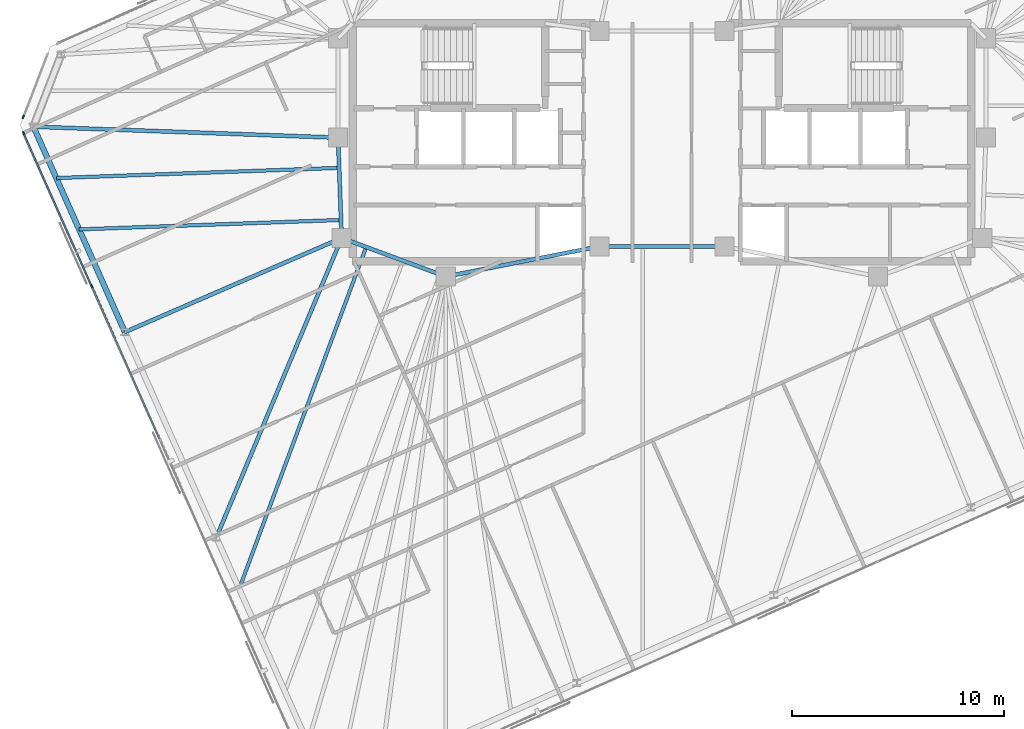
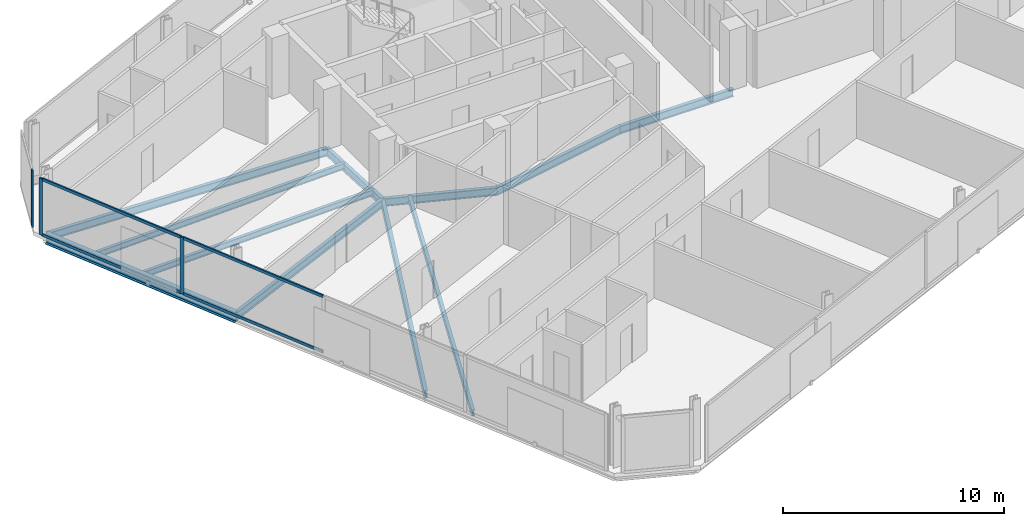
# One storey, part 6 of 19: 11 beams, 7 members, 2 elements without a shape of their own.
"""IFC4 building model written with IfcOpenShell, lengths in metres."""

from ifc_helpers import new_model, si_unit, direction, frame, origin, origin_2d, place, context, subcontext, project, spatial, rectangle, i_section, extrude, material, material_profile, profile_set, type_object, element, aggregate, save


model = new_model("IFC4")

# Units and contexts
model_context = context("Model", 3, precision=1e-05, world=origin(), true_north=direction((0.0, 1.0)))
body_context = subcontext(model_context, "Body", "Model", "MODEL_VIEW")
ifc_project = project(units=[si_unit("LENGTHUNIT", "METRE"), si_unit("AREAUNIT", "SQUARE_METRE"), si_unit("VOLUMEUNIT", "CUBIC_METRE"), si_unit("PLANEANGLEUNIT", "RADIAN"), si_unit("MASSUNIT", "GRAM", prefix="KILO")], contexts=[model_context])

# Site, building, storey
site_placement = place(None, origin())
site = spatial("IfcSite", under=ifc_project, at=site_placement, CompositionType="ELEMENT")
building_placement = place(site_placement, origin())
building = spatial("IfcBuilding", under=site, at=building_placement, Name="Menara Jurai Vektor", CompositionType="ELEMENT")
storey_placement = place(building_placement, frame((0.0, 0.0, 288.60009765625)))
storey = spatial("IfcBuildingStorey", under=building, at=storey_placement, Name="L77", CompositionType="ELEMENT", Elevation=288.60009765625)

# Curtain wall, member
ifc_material_1 = material(Name="Anodised Pale Aluminium & Low-E Double Glazing", Category="aluminium")
curtain_wall_type = type_object("IfcCurtainWallType", Name="CW-BLK5", PredefinedType="NOTDEFINED", material=ifc_material_1)
curtain_wall_1_placement = place(storey_placement, origin())
curtain_wall_1 = element("IfcCurtainWall", 1, at=curtain_wall_1_placement, inside=storey, type_object=curtain_wall_type, Name="Unitised Curtain Wall L77 F06", PredefinedType="NOTDEFINED")
ifc_material_2 = material(Name="Anodised Pale Aluminium Mullion", Category="aluminium")
ifc_material_profile_1 = material_profile(ifc_material_2, rectangle(XDim=0.074951171875, YDim=0.175048828125, at=origin_2d()), Name="ALU MUL 75x175")
ifc_profile_set_1 = profile_set([ifc_material_profile_1], Name="Anodised Pale Aluminium Mullion")
member_type_1 = type_object("IfcMemberType", Name="CW-BLK5-MUL", PredefinedType="MULLION", material=ifc_profile_set_1)
member_1_placement = place(storey_placement, frame((-30.075439453125, 1.197265625, 0.0), z_axis=(0.0, 0.0, 1.0), x_axis=(0.933578193639, -0.358373766287, 0.0)))
member_1 = element("IfcMember", 2, at=member_1_placement, type_object=member_type_1, Name="CW-05 mullion 2", PredefinedType="MULLION", context=body_context, shape_type="SweptSolid", body=[
    extrude(rectangle(XDim=0.074951171875, YDim=0.175048828125, at=origin_2d()), origin(), (0.0, 0.0, 1.0), 3.125),
])
aggregate(curtain_wall_1, [member_1])

# Curtain wall, members
curtain_wall_2_placement = place(storey_placement, origin())
curtain_wall_2 = element("IfcCurtainWall", 3, at=curtain_wall_2_placement, inside=storey, type_object=curtain_wall_type, Name="Unitised Curtain Wall L77 F07", PredefinedType="NOTDEFINED")
member_2_placement = place(storey_placement, frame((-30.055419921875, 0.426025390625, 0.0), z_axis=(0.0, 0.0, 1.0), x_axis=(0.913546127706, 0.406735138086, 0.0)))
member_2 = element("IfcMember", 4, at=member_2_placement, type_object=member_type_1, Name="CW-05 mullion 1", PredefinedType="MULLION", context=body_context, shape_type="SweptSolid", body=[
    extrude(rectangle(XDim=0.074951171875, YDim=0.175048828125, at=origin_2d()), origin(), (0.0, 0.0, 1.0), 3.125),
])
member_3_placement = place(storey_placement, frame((-26.853271484375, -6.765869140625, 0.0), z_axis=(0.0, 0.0, 1.0), x_axis=(0.913546127706, 0.406735138086, 0.0)))
member_3 = element("IfcMember", 5, at=member_3_placement, type_object=member_type_1, Name="CW-05 mullion 2", PredefinedType="MULLION", context=body_context, shape_type="SweptSolid", body=[
    extrude(rectangle(XDim=0.074951171875, YDim=0.175048828125, at=origin_2d()), origin(), (0.0, 0.0, 1.0), 3.125),
])
ifc_material_3 = material(Name="Anodised Pale Aluminium Transom", Category="aluminium")
ifc_material_profile_2 = material_profile(ifc_material_3, rectangle(XDim=0.074951171875, YDim=0.155029296875, at=origin_2d()), Name="ALU TRN 75x155")
ifc_profile_set_2 = profile_set([ifc_material_profile_2], Name="Anodised Pale Aluminium Transom")
member_type_2 = type_object("IfcMemberType", Name="CW-BLK5-TRN", PredefinedType="USERDEFINED", material=ifc_profile_set_2)
member_4_placement = place(storey_placement, frame((-30.0400390625, 0.391845703125, 0.037353515625), z_axis=(0.406713581109, -0.913555725143, 0.0), x_axis=(0.913555725143, 0.406713581109, 0.0)))
member_4 = element("IfcMember", 6, at=member_4_placement, type_object=member_type_2, Name="CW-05 transom 1.1", ObjectType="TRANSOM", PredefinedType="USERDEFINED", context=body_context, shape_type="SweptSolid", body=[
    extrude(rectangle(XDim=0.074951171875, YDim=0.155029296875, at=origin_2d()), origin(), (0.0, 0.0, 1.0), 7.797607421875),
])
member_5_placement = place(storey_placement, frame((-30.0400390625, 0.391845703125, 3.08740234375), z_axis=(0.406713581109, -0.913555725143, 0.0), x_axis=(0.913555725143, 0.406713581109, 0.0)))
member_5 = element("IfcMember", 7, at=member_5_placement, type_object=member_type_2, Name="CW-05 transom 1.2", ObjectType="TRANSOM", PredefinedType="USERDEFINED", context=body_context, shape_type="SweptSolid", body=[
    extrude(rectangle(XDim=0.074951171875, YDim=0.155029296875, at=origin_2d()), origin(), (0.0, 0.0, 1.0), 7.797607421875),
])
member_6_placement = place(storey_placement, frame((-26.838134765625, -6.800048828125, 0.037353515625), z_axis=(0.406731062496, -0.913547942256, 0.0), x_axis=(0.913547942256, 0.406731062496, 0.0)))
member_6 = element("IfcMember", 8, at=member_6_placement, type_object=member_type_2, Name="CW-05 transom 2.1", ObjectType="TRANSOM", PredefinedType="USERDEFINED", context=body_context, shape_type="SweptSolid", body=[
    extrude(rectangle(XDim=0.074951171875, YDim=0.155029296875, at=origin_2d()), origin(), (0.0, 0.0, 1.0), 7.8349609375),
])
member_7_placement = place(storey_placement, frame((-26.838134765625, -6.800048828125, 3.08740234375), z_axis=(0.406731062496, -0.913547942256, 0.0), x_axis=(0.913547942256, 0.406731062496, 0.0)))
member_7 = element("IfcMember", 9, at=member_7_placement, type_object=member_type_2, Name="CW-05 transom 2.2", ObjectType="TRANSOM", PredefinedType="USERDEFINED", context=body_context, shape_type="SweptSolid", body=[
    extrude(rectangle(XDim=0.074951171875, YDim=0.155029296875, at=origin_2d()), origin(), (0.0, 0.0, 1.0), 7.8349609375),
])
aggregate(curtain_wall_2, [member_2, member_3, member_4, member_5, member_6, member_7])

# Beams
ifc_material_4 = material(Name="Steel S355", Category="steel")
ifc_material_profile_3 = material_profile(ifc_material_4, i_section(OverallWidth=0.18505859375, OverallDepth=0.429931640625, WebThickness=0.010986328125, FlangeThickness=0.01806640625, at=origin_2d()), Name="PG 430x185x76")
ifc_profile_set_3 = profile_set([ifc_material_profile_3], Name="Steel S355")
beam_type_1 = type_object("IfcBeamType", Name="STR-BM-430", PredefinedType="BEAM", material=ifc_profile_set_3)
beam_1_placement = place(storey_placement, frame((-15.080078125, -4.5, -0.440185546875), z_axis=(-0.035977314146, 0.999352606874, 0.0), x_axis=(-0.999352606874, -0.035977314146, 0.0)))
element("IfcBeam", 10, at=beam_1_placement, inside=storey, type_object=beam_type_1, Name="Core Ring Header Girder L77-CHW-W2", PredefinedType="BEAM", context=body_context, shape_type="SweptSolid", body=[
    extrude(i_section(OverallWidth=0.18505859375, OverallDepth=0.429931640625, WebThickness=0.010986328125, FlangeThickness=0.01806640625, at=origin_2d()), origin(), (0.0, 0.0, 1.0), 4.72314453125),
])
beam_2_placement = place(storey_placement, frame((-15.080078125, -4.5, -0.440185546875), z_axis=(0.937424400887, -0.348188874925, 0.0), x_axis=(0.348188874925, 0.937424400887, 0.0)))
element("IfcBeam", 11, at=beam_2_placement, inside=storey, type_object=beam_type_1, Name="Core Ring Header Girder L77-CHW-S1", PredefinedType="BEAM", context=body_context, shape_type="SweptSolid", body=[
    extrude(i_section(OverallWidth=0.18505859375, OverallDepth=0.429931640625, WebThickness=0.010986328125, FlangeThickness=0.01806640625, at=origin_2d()), origin(), (0.0, 0.0, 1.0), 5.227294921875),
])
beam_3_placement = place(storey_placement, frame((-10.179931640625, -6.320068359375, -0.440185546875), z_axis=(0.981249044334, 0.192744164614, 0.0), x_axis=(-0.192744164614, 0.981249044334, 0.0)))
element("IfcBeam", 12, at=beam_3_placement, inside=storey, type_object=beam_type_1, Name="Core Ring Header Girder L77-CHW-S2", PredefinedType="BEAM", context=body_context, shape_type="SweptSolid", body=[
    extrude(i_section(OverallWidth=0.18505859375, OverallDepth=0.429931640625, WebThickness=0.010986328125, FlangeThickness=0.01806640625, at=origin_2d()), origin(), (0.0, 0.0, 1.0), 7.3681640625),
])
beam_4_placement = place(storey_placement, frame((-2.949951171875, -4.89990234375, -0.440185546875), z_axis=(1.0, 0.0, 0.0), x_axis=(0.0, 1.0, 0.0)))
element("IfcBeam", 13, at=beam_4_placement, inside=storey, type_object=beam_type_1, Name="Core Ring Header Girder L77-CC-1", PredefinedType="BEAM", context=body_context, shape_type="SweptSolid", body=[
    extrude(i_section(OverallWidth=0.18505859375, OverallDepth=0.429931640625, WebThickness=0.010986328125, FlangeThickness=0.01806640625, at=origin_2d()), origin(), (0.0, 0.0, 1.0), 5.89990234375),
])
beam_5_placement = place(storey_placement, frame((-29.591796875, 0.73681640625, -0.440185546875), z_axis=(0.999351273077, -0.03601434436, 0.0), x_axis=(0.03601434436, 0.999351273077, 0.0)))
element("IfcBeam", 14, at=beam_5_placement, inside=storey, type_object=beam_type_1, Name="Radial Floor Girder L77-W1", PredefinedType="BEAM", context=body_context, shape_type="SweptSolid", body=[
    extrude(i_section(OverallWidth=0.18505859375, OverallDepth=0.429931640625, WebThickness=0.010986328125, FlangeThickness=0.01806640625, at=origin_2d()), origin(), (0.0, 0.0, 1.0), 14.35107421875),
])
beam_6_placement = place(storey_placement, frame((-25.286376953125, -8.933349609375, -0.440185546875), z_axis=(0.917207084259, 0.398410798781, 0.0), x_axis=(-0.398410798781, 0.917207084259, 0.0)))
element("IfcBeam", 15, at=beam_6_placement, inside=storey, type_object=beam_type_1, Name="Radial Floor Girder L77-W2", PredefinedType="BEAM", context=body_context, shape_type="SweptSolid", body=[
    extrude(i_section(OverallWidth=0.18505859375, OverallDepth=0.429931640625, WebThickness=0.010986328125, FlangeThickness=0.01806640625, at=origin_2d()), origin(), (0.0, 0.0, 1.0), 11.127685546875),
])
beam_7_placement = place(storey_placement, frame((-20.98095703125, -18.603271484375, -0.440185546875), z_axis=(0.38598134247, 0.922506587112, 0.0), x_axis=(-0.922506587112, 0.38598134247, 0.0)))
element("IfcBeam", 16, at=beam_7_placement, inside=storey, type_object=beam_type_1, Name="Radial Floor Girder L77-W3", PredefinedType="BEAM", context=body_context, shape_type="SweptSolid", body=[
    extrude(i_section(OverallWidth=0.18505859375, OverallDepth=0.429931640625, WebThickness=0.010986328125, FlangeThickness=0.01806640625, at=origin_2d()), origin(), (0.0, 0.0, 1.0), 15.2880859375),
])
ifc_material_profile_4 = material_profile(ifc_material_4, i_section(OverallWidth=0.1650390625, OverallDepth=0.330078125, WebThickness=0.009033203125, FlangeThickness=0.013916015625, at=origin_2d()), Name="PG 330x165x46")
ifc_profile_set_4 = profile_set([ifc_material_profile_4], Name="Steel S355")
beam_type_2 = type_object("IfcBeamType", Name="STR-JS-330", PredefinedType="JOIST", material=ifc_profile_set_4)
beam_8_placement = place(storey_placement, frame((-28.515380859375, -1.6806640625, -0.39013671875), z_axis=(0.999352378837, 0.035983647851, 0.0), x_axis=(-0.035983647851, 0.999352378837, 0.0)))
element("IfcBeam", 17, at=beam_8_placement, inside=storey, type_object=beam_type_2, Name="Radial Secondary Floor Joist L77-JS26", PredefinedType="JOIST", context=body_context, shape_type="SweptSolid", body=[
    extrude(i_section(OverallWidth=0.1650390625, OverallDepth=0.330078125, WebThickness=0.009033203125, FlangeThickness=0.013916015625, at=origin_2d()), origin(), (0.0, 0.0, 1.0), 13.3251953125),
])
beam_9_placement = place(storey_placement, frame((-27.43896484375, -4.09814453125, -0.39013671875), z_axis=(0.999352552329, 0.03597882924, 0.0), x_axis=(-0.03597882924, 0.999352552329, 0.0)))
element("IfcBeam", 18, at=beam_9_placement, inside=storey, type_object=beam_type_2, Name="Radial Secondary Floor Joist L77-JS27", PredefinedType="JOIST", context=body_context, shape_type="SweptSolid", body=[
    extrude(i_section(OverallWidth=0.1650390625, OverallDepth=0.330078125, WebThickness=0.009033203125, FlangeThickness=0.013916015625, at=origin_2d()), origin(), (0.0, 0.0, 1.0), 12.33642578125),
])
beam_10_placement = place(storey_placement, frame((-19.904541015625, -21.020751953125, -0.39013671875), z_axis=(0.348190100331, 0.937423945732, 0.0), x_axis=(-0.937423945732, 0.348190100331, 0.0)))
element("IfcBeam", 19, at=beam_10_placement, inside=storey, type_object=beam_type_2, Name="Radial Secondary Floor Joist L77-JS28", PredefinedType="JOIST", context=body_context, shape_type="SweptSolid", body=[
    extrude(i_section(OverallWidth=0.1650390625, OverallDepth=0.330078125, WebThickness=0.009033203125, FlangeThickness=0.013916015625, at=origin_2d()), origin(), (0.0, 0.0, 1.0), 17.166748046875),
])
ifc_material_profile_5 = material_profile(ifc_material_4, i_section(OverallWidth=0.260009765625, OverallDepth=0.570068359375, WebThickness=0.013916015625, FlangeThickness=0.02392578125, at=origin_2d()), Name="PG 570x260x145")
ifc_profile_set_5 = profile_set([ifc_material_profile_5], Name="Steel S355")
beam_type_3 = type_object("IfcBeamType", Name="STR-SP-570", PredefinedType="SPANDREL", material=ifc_profile_set_5)
beam_11_placement = place(storey_placement, frame((-29.591796875, 0.73681640625, -0.510009765625), z_axis=(0.40673543049, -0.91354599752, 0.0), x_axis=(0.91354599752, 0.40673543049, 0.0)))
element("IfcBeam", 20, at=beam_11_placement, inside=storey, type_object=beam_type_3, Name="Exoskeleton Spandrel Beam L77-17", PredefinedType="SPANDREL", context=body_context, shape_type="SweptSolid", body=[
    extrude(i_section(OverallWidth=0.260009765625, OverallDepth=0.570068359375, WebThickness=0.013916015625, FlangeThickness=0.02392578125, at=origin_2d()), origin(), (0.0, 0.0, 1.0), 10.585205078125),
])

save(model, "model.ifc")
